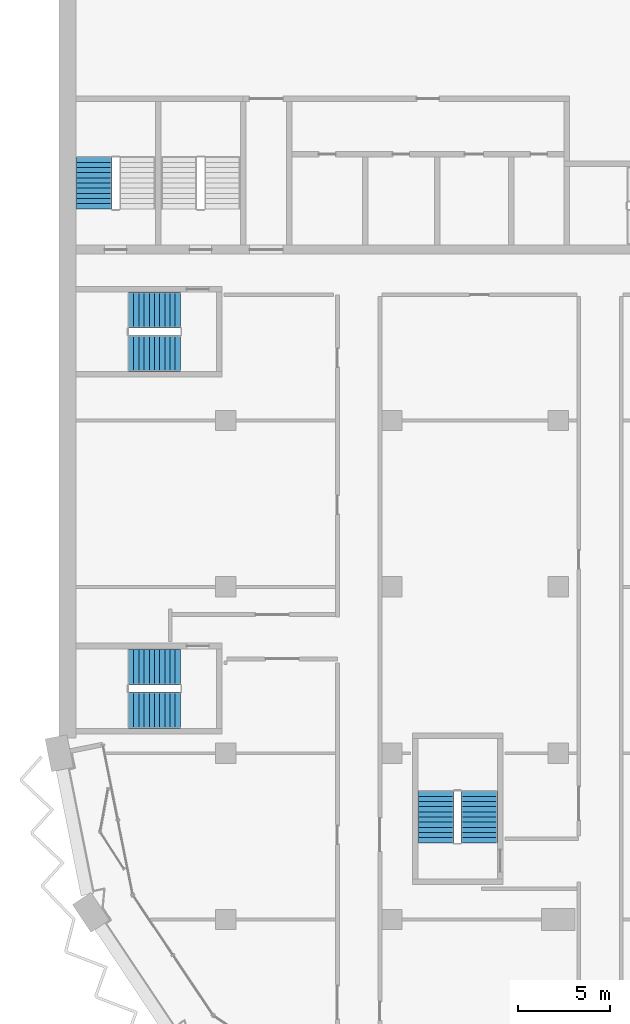
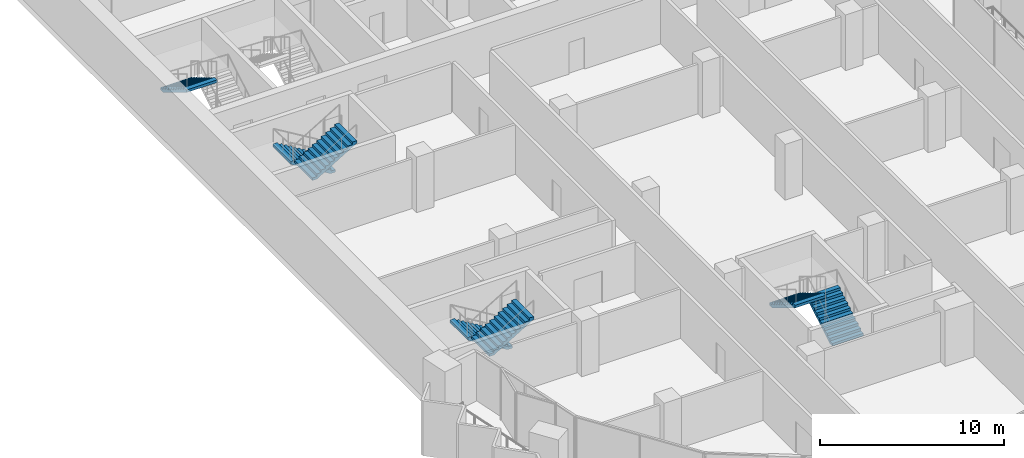
# One storey, part 13 of 19: 7 stair flights, 4 elements without a shape of their own.
"""IFC4 building model written with IfcOpenShell, lengths in metres."""

from ifc_helpers import new_model, si_unit, direction, frame, origin, place, context, subcontext, project, spatial, polyline, outline, extrude, material, type_object, element, aggregate, save


model = new_model("IFC4")

# Units and contexts
model_context = context("Model", 3, precision=1e-05, world=origin(), true_north=direction((0.0, 1.0)))
body_context = subcontext(model_context, "Body", "Model", "MODEL_VIEW")
ifc_project = project(units=[si_unit("LENGTHUNIT", "METRE"), si_unit("AREAUNIT", "SQUARE_METRE"), si_unit("VOLUMEUNIT", "CUBIC_METRE"), si_unit("PLANEANGLEUNIT", "RADIAN"), si_unit("MASSUNIT", "GRAM", prefix="KILO")], contexts=[model_context])

# Site, building, storey
site_placement = place(None, origin())
site = spatial("IfcSite", under=ifc_project, at=site_placement, CompositionType="ELEMENT")
building_placement = place(site_placement, origin())
building = spatial("IfcBuilding", under=site, at=building_placement, Name="Hunhe Ridgeline Campus", CompositionType="ELEMENT")
storey_placement = place(building_placement, frame((0.0, 0.0, 216.10009765625)))
storey = spatial("IfcBuildingStorey", under=building, at=storey_placement, Name="L55", CompositionType="ELEMENT", Elevation=216.10009765625)

# Stair, stair flight
ifc_material = material(Name="Concrete C40", Category="concrete")
stair_type = type_object("IfcStairType", Name="Reinforced concrete dog-leg stair 1950 Concrete C40", PredefinedType="HALF_TURN_STAIR", material=ifc_material)
stair_1_placement = place(storey_placement, origin())
stair_1 = element("IfcStair", 1, at=stair_1_placement, inside=storey, type_object=stair_type, Name="L55 S3", PredefinedType="HALF_TURN_STAIR")
stair_flight_type = type_object("IfcStairFlightType", Name="Reinforced concrete stair flight 1950 Concrete C40", PredefinedType="STRAIGHT", material=ifc_material)
stair_flight_1_placement = place(storey_placement, frame((1.875, 68.25, 1.849853515625), z_axis=(0.0, 0.0, 1.0), x_axis=(0.0, -1.0, 0.0)))
stair_flight_1 = element("IfcStairFlight", 2, at=stair_flight_1_placement, type_object=stair_flight_type, Name="ST3 flight 2", NumberOfRisers=11, NumberOfTreads=10, PredefinedType="STRAIGHT", RiserHeight=0.168181818, TreadLength=0.28, context=body_context, shape_type="SweptSolid", body=[
    extrude(outline(polyline([(0.0, 0.0), (0.0, 0.168212890625), (0.280029296875, 0.168212890625), (0.280029296875, 0.33642578125), (0.56005859375, 0.33642578125), (0.56005859375, 0.504638671875), (0.840087890625, 0.504638671875), (0.840087890625, 0.672607421875), (1.1201171875, 0.672607421875), (1.1201171875, 0.8408203125), (1.39990234375, 0.8408203125), (1.39990234375, 1.009033203125), (1.679931640625, 1.009033203125), (1.679931640625, 1.17724609375), (1.9599609375, 1.17724609375), (1.9599609375, 1.345458984375), (2.239990234375, 1.345458984375), (2.239990234375, 1.513671875), (2.52001953125, 1.513671875), (2.52001953125, 1.681884765625), (2.800048828125, 1.681884765625), (2.800048828125, 1.85009765625), (2.800048828125, 1.5068359375), (0.291015625, 0.0), (0.0, 0.0)])), frame((0.0, 0.97509765625, 0.0), z_axis=(0.0, -1.0, 0.0), x_axis=(1.0, 0.0, 0.0)), (0.0, 0.0, 1.0), 1.949951171875),
    extrude(outline(polyline([(0.030029296875, 0.030029296875), (0.030029296875, 0.13818359375), (0.31005859375, 0.13818359375), (0.31005859375, 0.306396484375), (0.590087890625, 0.306396484375), (0.590087890625, 0.474609375), (0.8701171875, 0.474609375), (0.8701171875, 0.642578125), (1.14990234375, 0.642578125), (1.14990234375, 0.810791015625), (1.429931640625, 0.810791015625), (1.429931640625, 0.97900390625), (1.7099609375, 0.97900390625), (1.7099609375, 1.147216796875), (1.989990234375, 1.147216796875), (1.989990234375, 1.3154296875), (2.27001953125, 1.3154296875), (2.27001953125, 1.483642578125), (2.550048828125, 1.483642578125), (2.550048828125, 1.65185546875), (2.77001953125, 1.65185546875), (2.77001953125, 1.52392578125), (0.28271484375, 0.030029296875), (0.030029296875, 0.030029296875)])), frame((0.0, -0.070068359375, 0.0), z_axis=(0.0, -1.0, 0.0), x_axis=(1.0, 0.0, 0.0)), (0.0, 0.0, 1.0), 0.019775390625),
    extrude(outline(polyline([(0.030029296875, 0.030029296875), (0.030029296875, 0.13818359375), (0.31005859375, 0.13818359375), (0.31005859375, 0.306396484375), (0.590087890625, 0.306396484375), (0.590087890625, 0.474609375), (0.8701171875, 0.474609375), (0.8701171875, 0.642578125), (1.14990234375, 0.642578125), (1.14990234375, 0.810791015625), (1.429931640625, 0.810791015625), (1.429931640625, 0.97900390625), (1.7099609375, 0.97900390625), (1.7099609375, 1.147216796875), (1.989990234375, 1.147216796875), (1.989990234375, 1.3154296875), (2.27001953125, 1.3154296875), (2.27001953125, 1.483642578125), (2.550048828125, 1.483642578125), (2.550048828125, 1.65185546875), (2.77001953125, 1.65185546875), (2.77001953125, 1.52392578125), (0.28271484375, 0.030029296875), (0.030029296875, 0.030029296875)])), frame((0.0, 0.010009765625, 0.0), z_axis=(0.0, -1.0, 0.0), x_axis=(1.0, 0.0, 0.0)), (0.0, 0.0, 1.0), 0.019775390625),
    extrude(outline(polyline([(0.030029296875, 0.030029296875), (0.030029296875, 0.13818359375), (0.31005859375, 0.13818359375), (0.31005859375, 0.306396484375), (0.590087890625, 0.306396484375), (0.590087890625, 0.474609375), (0.8701171875, 0.474609375), (0.8701171875, 0.642578125), (1.14990234375, 0.642578125), (1.14990234375, 0.810791015625), (1.429931640625, 0.810791015625), (1.429931640625, 0.97900390625), (1.7099609375, 0.97900390625), (1.7099609375, 1.147216796875), (1.989990234375, 1.147216796875), (1.989990234375, 1.3154296875), (2.27001953125, 1.3154296875), (2.27001953125, 1.483642578125), (2.550048828125, 1.483642578125), (2.550048828125, 1.65185546875), (2.77001953125, 1.65185546875), (2.77001953125, 1.52392578125), (0.28271484375, 0.030029296875), (0.030029296875, 0.030029296875)])), frame((0.0, 0.090087890625, 0.0), z_axis=(0.0, -1.0, 0.0), x_axis=(1.0, 0.0, 0.0)), (0.0, 0.0, 1.0), 0.019775390625),
])
aggregate(stair_1, [stair_flight_1])

# Stair, stair flights
stair_2_placement = place(storey_placement, origin())
stair_2 = element("IfcStair", 3, at=stair_2_placement, inside=storey, type_object=stair_type, Name="L55 W3", PredefinedType="HALF_TURN_STAIR")
stair_flight_2_placement = place(storey_placement, frame((22.72509765625, 31.14990234375, 0.0), z_axis=(0.0, 0.0, 1.0), x_axis=(0.0, 1.0, 0.0)))
stair_flight_2 = element("IfcStairFlight", 4, at=stair_flight_2_placement, type_object=stair_flight_type, Name="ST9 flight 1", NumberOfRisers=11, NumberOfTreads=10, PredefinedType="STRAIGHT", RiserHeight=0.168181818, TreadLength=0.28, context=body_context, shape_type="SweptSolid", body=[
    extrude(outline(polyline([(0.0, 0.0), (0.0, 0.168212890625), (0.280029296875, 0.168212890625), (0.280029296875, 0.33642578125), (0.56005859375, 0.33642578125), (0.56005859375, 0.504638671875), (0.840087890625, 0.504638671875), (0.840087890625, 0.672607421875), (1.1201171875, 0.672607421875), (1.1201171875, 0.8408203125), (1.39990234375, 0.8408203125), (1.39990234375, 1.009033203125), (1.679931640625, 1.009033203125), (1.679931640625, 1.17724609375), (1.9599609375, 1.17724609375), (1.9599609375, 1.345458984375), (2.239990234375, 1.345458984375), (2.239990234375, 1.513671875), (2.52001953125, 1.513671875), (2.52001953125, 1.681884765625), (2.800048828125, 1.681884765625), (2.800048828125, 1.85009765625), (2.800048828125, 1.5068359375), (0.291015625, 0.0), (0.0, 0.0)])), frame((0.0, 0.97509765625, 0.0), z_axis=(0.0, -1.0, 0.0), x_axis=(1.0, 0.0, 0.0)), (0.0, 0.0, 1.0), 1.949951171875),
    extrude(outline(polyline([(0.030029296875, 0.030029296875), (0.030029296875, 0.13818359375), (0.31005859375, 0.13818359375), (0.31005859375, 0.306396484375), (0.590087890625, 0.306396484375), (0.590087890625, 0.474609375), (0.8701171875, 0.474609375), (0.8701171875, 0.642578125), (1.14990234375, 0.642578125), (1.14990234375, 0.810791015625), (1.429931640625, 0.810791015625), (1.429931640625, 0.97900390625), (1.7099609375, 0.97900390625), (1.7099609375, 1.147216796875), (1.989990234375, 1.147216796875), (1.989990234375, 1.3154296875), (2.27001953125, 1.3154296875), (2.27001953125, 1.483642578125), (2.550048828125, 1.483642578125), (2.550048828125, 1.65185546875), (2.77001953125, 1.65185546875), (2.77001953125, 1.52392578125), (0.28271484375, 0.030029296875), (0.030029296875, 0.030029296875)])), frame((0.0, -0.070068359375, 0.0), z_axis=(0.0, -1.0, 0.0), x_axis=(1.0, 0.0, 0.0)), (0.0, 0.0, 1.0), 0.019775390625),
    extrude(outline(polyline([(0.030029296875, 0.030029296875), (0.030029296875, 0.13818359375), (0.31005859375, 0.13818359375), (0.31005859375, 0.306396484375), (0.590087890625, 0.306396484375), (0.590087890625, 0.474609375), (0.8701171875, 0.474609375), (0.8701171875, 0.642578125), (1.14990234375, 0.642578125), (1.14990234375, 0.810791015625), (1.429931640625, 0.810791015625), (1.429931640625, 0.97900390625), (1.7099609375, 0.97900390625), (1.7099609375, 1.147216796875), (1.989990234375, 1.147216796875), (1.989990234375, 1.3154296875), (2.27001953125, 1.3154296875), (2.27001953125, 1.483642578125), (2.550048828125, 1.483642578125), (2.550048828125, 1.65185546875), (2.77001953125, 1.65185546875), (2.77001953125, 1.52392578125), (0.28271484375, 0.030029296875), (0.030029296875, 0.030029296875)])), frame((0.0, 0.010009765625, 0.0), z_axis=(0.0, -1.0, 0.0), x_axis=(1.0, 0.0, 0.0)), (0.0, 0.0, 1.0), 0.019775390625),
    extrude(outline(polyline([(0.030029296875, 0.030029296875), (0.030029296875, 0.13818359375), (0.31005859375, 0.13818359375), (0.31005859375, 0.306396484375), (0.590087890625, 0.306396484375), (0.590087890625, 0.474609375), (0.8701171875, 0.474609375), (0.8701171875, 0.642578125), (1.14990234375, 0.642578125), (1.14990234375, 0.810791015625), (1.429931640625, 0.810791015625), (1.429931640625, 0.97900390625), (1.7099609375, 0.97900390625), (1.7099609375, 1.147216796875), (1.989990234375, 1.147216796875), (1.989990234375, 1.3154296875), (2.27001953125, 1.3154296875), (2.27001953125, 1.483642578125), (2.550048828125, 1.483642578125), (2.550048828125, 1.65185546875), (2.77001953125, 1.65185546875), (2.77001953125, 1.52392578125), (0.28271484375, 0.030029296875), (0.030029296875, 0.030029296875)])), frame((0.0, 0.090087890625, 0.0), z_axis=(0.0, -1.0, 0.0), x_axis=(1.0, 0.0, 0.0)), (0.0, 0.0, 1.0), 0.019775390625),
])
stair_flight_3_placement = place(storey_placement, frame((20.375, 33.949951171875, 1.849853515625), z_axis=(0.0, 0.0, 1.0), x_axis=(0.0, -1.0, 0.0)))
stair_flight_3 = element("IfcStairFlight", 5, at=stair_flight_3_placement, type_object=stair_flight_type, Name="ST9 flight 2", NumberOfRisers=11, NumberOfTreads=10, PredefinedType="STRAIGHT", RiserHeight=0.168181818, TreadLength=0.28, context=body_context, shape_type="SweptSolid", body=[
    extrude(outline(polyline([(0.0, 0.0), (0.0, 0.168212890625), (0.280029296875, 0.168212890625), (0.280029296875, 0.33642578125), (0.56005859375, 0.33642578125), (0.56005859375, 0.504638671875), (0.840087890625, 0.504638671875), (0.840087890625, 0.672607421875), (1.1201171875, 0.672607421875), (1.1201171875, 0.8408203125), (1.39990234375, 0.8408203125), (1.39990234375, 1.009033203125), (1.679931640625, 1.009033203125), (1.679931640625, 1.17724609375), (1.9599609375, 1.17724609375), (1.9599609375, 1.345458984375), (2.239990234375, 1.345458984375), (2.239990234375, 1.513671875), (2.52001953125, 1.513671875), (2.52001953125, 1.681884765625), (2.800048828125, 1.681884765625), (2.800048828125, 1.85009765625), (2.800048828125, 1.5068359375), (0.291015625, 0.0), (0.0, 0.0)])), frame((0.0, 0.97509765625, 0.0), z_axis=(0.0, -1.0, 0.0), x_axis=(1.0, 0.0, 0.0)), (0.0, 0.0, 1.0), 1.949951171875),
    extrude(outline(polyline([(0.030029296875, 0.030029296875), (0.030029296875, 0.13818359375), (0.31005859375, 0.13818359375), (0.31005859375, 0.306396484375), (0.590087890625, 0.306396484375), (0.590087890625, 0.474609375), (0.8701171875, 0.474609375), (0.8701171875, 0.642578125), (1.14990234375, 0.642578125), (1.14990234375, 0.810791015625), (1.429931640625, 0.810791015625), (1.429931640625, 0.97900390625), (1.7099609375, 0.97900390625), (1.7099609375, 1.147216796875), (1.989990234375, 1.147216796875), (1.989990234375, 1.3154296875), (2.27001953125, 1.3154296875), (2.27001953125, 1.483642578125), (2.550048828125, 1.483642578125), (2.550048828125, 1.65185546875), (2.77001953125, 1.65185546875), (2.77001953125, 1.52392578125), (0.28271484375, 0.030029296875), (0.030029296875, 0.030029296875)])), frame((0.0, -0.070068359375, 0.0), z_axis=(0.0, -1.0, 0.0), x_axis=(1.0, 0.0, 0.0)), (0.0, 0.0, 1.0), 0.019775390625),
    extrude(outline(polyline([(0.030029296875, 0.030029296875), (0.030029296875, 0.13818359375), (0.31005859375, 0.13818359375), (0.31005859375, 0.306396484375), (0.590087890625, 0.306396484375), (0.590087890625, 0.474609375), (0.8701171875, 0.474609375), (0.8701171875, 0.642578125), (1.14990234375, 0.642578125), (1.14990234375, 0.810791015625), (1.429931640625, 0.810791015625), (1.429931640625, 0.97900390625), (1.7099609375, 0.97900390625), (1.7099609375, 1.147216796875), (1.989990234375, 1.147216796875), (1.989990234375, 1.3154296875), (2.27001953125, 1.3154296875), (2.27001953125, 1.483642578125), (2.550048828125, 1.483642578125), (2.550048828125, 1.65185546875), (2.77001953125, 1.65185546875), (2.77001953125, 1.52392578125), (0.28271484375, 0.030029296875), (0.030029296875, 0.030029296875)])), frame((0.0, 0.010009765625, 0.0), z_axis=(0.0, -1.0, 0.0), x_axis=(1.0, 0.0, 0.0)), (0.0, 0.0, 1.0), 0.019775390625),
    extrude(outline(polyline([(0.030029296875, 0.030029296875), (0.030029296875, 0.13818359375), (0.31005859375, 0.13818359375), (0.31005859375, 0.306396484375), (0.590087890625, 0.306396484375), (0.590087890625, 0.474609375), (0.8701171875, 0.474609375), (0.8701171875, 0.642578125), (1.14990234375, 0.642578125), (1.14990234375, 0.810791015625), (1.429931640625, 0.810791015625), (1.429931640625, 0.97900390625), (1.7099609375, 0.97900390625), (1.7099609375, 1.147216796875), (1.989990234375, 1.147216796875), (1.989990234375, 1.3154296875), (2.27001953125, 1.3154296875), (2.27001953125, 1.483642578125), (2.550048828125, 1.483642578125), (2.550048828125, 1.65185546875), (2.77001953125, 1.65185546875), (2.77001953125, 1.52392578125), (0.28271484375, 0.030029296875), (0.030029296875, 0.030029296875)])), frame((0.0, 0.090087890625, 0.0), z_axis=(0.0, -1.0, 0.0), x_axis=(1.0, 0.0, 0.0)), (0.0, 0.0, 1.0), 0.019775390625),
])
aggregate(stair_2, [stair_flight_2, stair_flight_3])

stair_3_placement = place(storey_placement, origin())
stair_3 = element("IfcStair", 6, at=stair_3_placement, inside=storey, type_object=stair_type, Name="L55 W1", PredefinedType="HALF_TURN_STAIR")
stair_flight_4_placement = place(storey_placement, frame((6.550048828125, 40.675048828125, 0.0), z_axis=(0.0, 0.0, 1.0), x_axis=(-1.0, 0.0, 0.0)))
stair_flight_4 = element("IfcStairFlight", 7, at=stair_flight_4_placement, type_object=stair_flight_type, Name="ST11 flight 1", NumberOfRisers=11, NumberOfTreads=10, PredefinedType="STRAIGHT", RiserHeight=0.168181818, TreadLength=0.28, context=body_context, shape_type="SweptSolid", body=[
    extrude(outline(polyline([(0.0, 0.0), (0.0, 0.168212890625), (0.280029296875, 0.168212890625), (0.280029296875, 0.33642578125), (0.56005859375, 0.33642578125), (0.56005859375, 0.504638671875), (0.840087890625, 0.504638671875), (0.840087890625, 0.672607421875), (1.1201171875, 0.672607421875), (1.1201171875, 0.8408203125), (1.39990234375, 0.8408203125), (1.39990234375, 1.009033203125), (1.679931640625, 1.009033203125), (1.679931640625, 1.17724609375), (1.9599609375, 1.17724609375), (1.9599609375, 1.345458984375), (2.239990234375, 1.345458984375), (2.239990234375, 1.513671875), (2.52001953125, 1.513671875), (2.52001953125, 1.681884765625), (2.800048828125, 1.681884765625), (2.800048828125, 1.85009765625), (2.800048828125, 1.5068359375), (0.291015625, 0.0), (0.0, 0.0)])), frame((0.0, 0.97509765625, 0.0), z_axis=(0.0, -1.0, 0.0), x_axis=(1.0, 0.0, 0.0)), (0.0, 0.0, 1.0), 1.949951171875),
    extrude(outline(polyline([(0.030029296875, 0.030029296875), (0.030029296875, 0.13818359375), (0.31005859375, 0.13818359375), (0.31005859375, 0.306396484375), (0.590087890625, 0.306396484375), (0.590087890625, 0.474609375), (0.8701171875, 0.474609375), (0.8701171875, 0.642578125), (1.14990234375, 0.642578125), (1.14990234375, 0.810791015625), (1.429931640625, 0.810791015625), (1.429931640625, 0.97900390625), (1.7099609375, 0.97900390625), (1.7099609375, 1.147216796875), (1.989990234375, 1.147216796875), (1.989990234375, 1.3154296875), (2.27001953125, 1.3154296875), (2.27001953125, 1.483642578125), (2.550048828125, 1.483642578125), (2.550048828125, 1.65185546875), (2.77001953125, 1.65185546875), (2.77001953125, 1.52392578125), (0.28271484375, 0.030029296875), (0.030029296875, 0.030029296875)])), frame((0.0, -0.070068359375, 0.0), z_axis=(0.0, -1.0, 0.0), x_axis=(1.0, 0.0, 0.0)), (0.0, 0.0, 1.0), 0.019775390625),
    extrude(outline(polyline([(0.030029296875, 0.030029296875), (0.030029296875, 0.13818359375), (0.31005859375, 0.13818359375), (0.31005859375, 0.306396484375), (0.590087890625, 0.306396484375), (0.590087890625, 0.474609375), (0.8701171875, 0.474609375), (0.8701171875, 0.642578125), (1.14990234375, 0.642578125), (1.14990234375, 0.810791015625), (1.429931640625, 0.810791015625), (1.429931640625, 0.97900390625), (1.7099609375, 0.97900390625), (1.7099609375, 1.147216796875), (1.989990234375, 1.147216796875), (1.989990234375, 1.3154296875), (2.27001953125, 1.3154296875), (2.27001953125, 1.483642578125), (2.550048828125, 1.483642578125), (2.550048828125, 1.65185546875), (2.77001953125, 1.65185546875), (2.77001953125, 1.52392578125), (0.28271484375, 0.030029296875), (0.030029296875, 0.030029296875)])), frame((0.0, 0.010009765625, 0.0), z_axis=(0.0, -1.0, 0.0), x_axis=(1.0, 0.0, 0.0)), (0.0, 0.0, 1.0), 0.019775390625),
    extrude(outline(polyline([(0.030029296875, 0.030029296875), (0.030029296875, 0.13818359375), (0.31005859375, 0.13818359375), (0.31005859375, 0.306396484375), (0.590087890625, 0.306396484375), (0.590087890625, 0.474609375), (0.8701171875, 0.474609375), (0.8701171875, 0.642578125), (1.14990234375, 0.642578125), (1.14990234375, 0.810791015625), (1.429931640625, 0.810791015625), (1.429931640625, 0.97900390625), (1.7099609375, 0.97900390625), (1.7099609375, 1.147216796875), (1.989990234375, 1.147216796875), (1.989990234375, 1.3154296875), (2.27001953125, 1.3154296875), (2.27001953125, 1.483642578125), (2.550048828125, 1.483642578125), (2.550048828125, 1.65185546875), (2.77001953125, 1.65185546875), (2.77001953125, 1.52392578125), (0.28271484375, 0.030029296875), (0.030029296875, 0.030029296875)])), frame((0.0, 0.090087890625, 0.0), z_axis=(0.0, -1.0, 0.0), x_axis=(1.0, 0.0, 0.0)), (0.0, 0.0, 1.0), 0.019775390625),
])
stair_flight_5_placement = place(storey_placement, frame((3.75, 38.324951171875, 1.849853515625), z_axis=(0.0, 0.0, 1.0), x_axis=(1.0, 0.0, 0.0)))
stair_flight_5 = element("IfcStairFlight", 8, at=stair_flight_5_placement, type_object=stair_flight_type, Name="ST11 flight 2", NumberOfRisers=11, NumberOfTreads=10, PredefinedType="STRAIGHT", RiserHeight=0.168181818, TreadLength=0.28, context=body_context, shape_type="SweptSolid", body=[
    extrude(outline(polyline([(0.0, 0.0), (0.0, 0.168212890625), (0.280029296875, 0.168212890625), (0.280029296875, 0.33642578125), (0.56005859375, 0.33642578125), (0.56005859375, 0.504638671875), (0.840087890625, 0.504638671875), (0.840087890625, 0.672607421875), (1.1201171875, 0.672607421875), (1.1201171875, 0.8408203125), (1.39990234375, 0.8408203125), (1.39990234375, 1.009033203125), (1.679931640625, 1.009033203125), (1.679931640625, 1.17724609375), (1.9599609375, 1.17724609375), (1.9599609375, 1.345458984375), (2.239990234375, 1.345458984375), (2.239990234375, 1.513671875), (2.52001953125, 1.513671875), (2.52001953125, 1.681884765625), (2.800048828125, 1.681884765625), (2.800048828125, 1.85009765625), (2.800048828125, 1.5068359375), (0.291015625, 0.0), (0.0, 0.0)])), frame((0.0, 0.97509765625, 0.0), z_axis=(0.0, -1.0, 0.0), x_axis=(1.0, 0.0, 0.0)), (0.0, 0.0, 1.0), 1.949951171875),
    extrude(outline(polyline([(0.030029296875, 0.030029296875), (0.030029296875, 0.13818359375), (0.31005859375, 0.13818359375), (0.31005859375, 0.306396484375), (0.590087890625, 0.306396484375), (0.590087890625, 0.474609375), (0.8701171875, 0.474609375), (0.8701171875, 0.642578125), (1.14990234375, 0.642578125), (1.14990234375, 0.810791015625), (1.429931640625, 0.810791015625), (1.429931640625, 0.97900390625), (1.7099609375, 0.97900390625), (1.7099609375, 1.147216796875), (1.989990234375, 1.147216796875), (1.989990234375, 1.3154296875), (2.27001953125, 1.3154296875), (2.27001953125, 1.483642578125), (2.550048828125, 1.483642578125), (2.550048828125, 1.65185546875), (2.77001953125, 1.65185546875), (2.77001953125, 1.52392578125), (0.28271484375, 0.030029296875), (0.030029296875, 0.030029296875)])), frame((0.0, -0.070068359375, 0.0), z_axis=(0.0, -1.0, 0.0), x_axis=(1.0, 0.0, 0.0)), (0.0, 0.0, 1.0), 0.019775390625),
    extrude(outline(polyline([(0.030029296875, 0.030029296875), (0.030029296875, 0.13818359375), (0.31005859375, 0.13818359375), (0.31005859375, 0.306396484375), (0.590087890625, 0.306396484375), (0.590087890625, 0.474609375), (0.8701171875, 0.474609375), (0.8701171875, 0.642578125), (1.14990234375, 0.642578125), (1.14990234375, 0.810791015625), (1.429931640625, 0.810791015625), (1.429931640625, 0.97900390625), (1.7099609375, 0.97900390625), (1.7099609375, 1.147216796875), (1.989990234375, 1.147216796875), (1.989990234375, 1.3154296875), (2.27001953125, 1.3154296875), (2.27001953125, 1.483642578125), (2.550048828125, 1.483642578125), (2.550048828125, 1.65185546875), (2.77001953125, 1.65185546875), (2.77001953125, 1.52392578125), (0.28271484375, 0.030029296875), (0.030029296875, 0.030029296875)])), frame((0.0, 0.010009765625, 0.0), z_axis=(0.0, -1.0, 0.0), x_axis=(1.0, 0.0, 0.0)), (0.0, 0.0, 1.0), 0.019775390625),
    extrude(outline(polyline([(0.030029296875, 0.030029296875), (0.030029296875, 0.13818359375), (0.31005859375, 0.13818359375), (0.31005859375, 0.306396484375), (0.590087890625, 0.306396484375), (0.590087890625, 0.474609375), (0.8701171875, 0.474609375), (0.8701171875, 0.642578125), (1.14990234375, 0.642578125), (1.14990234375, 0.810791015625), (1.429931640625, 0.810791015625), (1.429931640625, 0.97900390625), (1.7099609375, 0.97900390625), (1.7099609375, 1.147216796875), (1.989990234375, 1.147216796875), (1.989990234375, 1.3154296875), (2.27001953125, 1.3154296875), (2.27001953125, 1.483642578125), (2.550048828125, 1.483642578125), (2.550048828125, 1.65185546875), (2.77001953125, 1.65185546875), (2.77001953125, 1.52392578125), (0.28271484375, 0.030029296875), (0.030029296875, 0.030029296875)])), frame((0.0, 0.090087890625, 0.0), z_axis=(0.0, -1.0, 0.0), x_axis=(1.0, 0.0, 0.0)), (0.0, 0.0, 1.0), 0.019775390625),
])
aggregate(stair_3, [stair_flight_4, stair_flight_5])

stair_4_placement = place(storey_placement, origin())
stair_4 = element("IfcStair", 9, at=stair_4_placement, inside=storey, type_object=stair_type, Name="L55 W2", PredefinedType="HALF_TURN_STAIR")
stair_flight_6_placement = place(storey_placement, frame((6.550048828125, 59.97509765625, 0.0), z_axis=(0.0, 0.0, 1.0), x_axis=(-1.0, 0.0, 0.0)))
stair_flight_6 = element("IfcStairFlight", 10, at=stair_flight_6_placement, type_object=stair_flight_type, Name="ST12 flight 1", NumberOfRisers=11, NumberOfTreads=10, PredefinedType="STRAIGHT", RiserHeight=0.168181818, TreadLength=0.28, context=body_context, shape_type="SweptSolid", body=[
    extrude(outline(polyline([(0.0, 0.0), (0.0, 0.168212890625), (0.280029296875, 0.168212890625), (0.280029296875, 0.33642578125), (0.56005859375, 0.33642578125), (0.56005859375, 0.504638671875), (0.840087890625, 0.504638671875), (0.840087890625, 0.672607421875), (1.1201171875, 0.672607421875), (1.1201171875, 0.8408203125), (1.39990234375, 0.8408203125), (1.39990234375, 1.009033203125), (1.679931640625, 1.009033203125), (1.679931640625, 1.17724609375), (1.9599609375, 1.17724609375), (1.9599609375, 1.345458984375), (2.239990234375, 1.345458984375), (2.239990234375, 1.513671875), (2.52001953125, 1.513671875), (2.52001953125, 1.681884765625), (2.800048828125, 1.681884765625), (2.800048828125, 1.85009765625), (2.800048828125, 1.5068359375), (0.291015625, 0.0), (0.0, 0.0)])), frame((0.0, 0.97509765625, 0.0), z_axis=(0.0, -1.0, 0.0), x_axis=(1.0, 0.0, 0.0)), (0.0, 0.0, 1.0), 1.949951171875),
    extrude(outline(polyline([(0.030029296875, 0.030029296875), (0.030029296875, 0.13818359375), (0.31005859375, 0.13818359375), (0.31005859375, 0.306396484375), (0.590087890625, 0.306396484375), (0.590087890625, 0.474609375), (0.8701171875, 0.474609375), (0.8701171875, 0.642578125), (1.14990234375, 0.642578125), (1.14990234375, 0.810791015625), (1.429931640625, 0.810791015625), (1.429931640625, 0.97900390625), (1.7099609375, 0.97900390625), (1.7099609375, 1.147216796875), (1.989990234375, 1.147216796875), (1.989990234375, 1.3154296875), (2.27001953125, 1.3154296875), (2.27001953125, 1.483642578125), (2.550048828125, 1.483642578125), (2.550048828125, 1.65185546875), (2.77001953125, 1.65185546875), (2.77001953125, 1.52392578125), (0.28271484375, 0.030029296875), (0.030029296875, 0.030029296875)])), frame((0.0, -0.070068359375, 0.0), z_axis=(0.0, -1.0, 0.0), x_axis=(1.0, 0.0, 0.0)), (0.0, 0.0, 1.0), 0.019775390625),
    extrude(outline(polyline([(0.030029296875, 0.030029296875), (0.030029296875, 0.13818359375), (0.31005859375, 0.13818359375), (0.31005859375, 0.306396484375), (0.590087890625, 0.306396484375), (0.590087890625, 0.474609375), (0.8701171875, 0.474609375), (0.8701171875, 0.642578125), (1.14990234375, 0.642578125), (1.14990234375, 0.810791015625), (1.429931640625, 0.810791015625), (1.429931640625, 0.97900390625), (1.7099609375, 0.97900390625), (1.7099609375, 1.147216796875), (1.989990234375, 1.147216796875), (1.989990234375, 1.3154296875), (2.27001953125, 1.3154296875), (2.27001953125, 1.483642578125), (2.550048828125, 1.483642578125), (2.550048828125, 1.65185546875), (2.77001953125, 1.65185546875), (2.77001953125, 1.52392578125), (0.28271484375, 0.030029296875), (0.030029296875, 0.030029296875)])), frame((0.0, 0.010009765625, 0.0), z_axis=(0.0, -1.0, 0.0), x_axis=(1.0, 0.0, 0.0)), (0.0, 0.0, 1.0), 0.019775390625),
    extrude(outline(polyline([(0.030029296875, 0.030029296875), (0.030029296875, 0.13818359375), (0.31005859375, 0.13818359375), (0.31005859375, 0.306396484375), (0.590087890625, 0.306396484375), (0.590087890625, 0.474609375), (0.8701171875, 0.474609375), (0.8701171875, 0.642578125), (1.14990234375, 0.642578125), (1.14990234375, 0.810791015625), (1.429931640625, 0.810791015625), (1.429931640625, 0.97900390625), (1.7099609375, 0.97900390625), (1.7099609375, 1.147216796875), (1.989990234375, 1.147216796875), (1.989990234375, 1.3154296875), (2.27001953125, 1.3154296875), (2.27001953125, 1.483642578125), (2.550048828125, 1.483642578125), (2.550048828125, 1.65185546875), (2.77001953125, 1.65185546875), (2.77001953125, 1.52392578125), (0.28271484375, 0.030029296875), (0.030029296875, 0.030029296875)])), frame((0.0, 0.090087890625, 0.0), z_axis=(0.0, -1.0, 0.0), x_axis=(1.0, 0.0, 0.0)), (0.0, 0.0, 1.0), 0.019775390625),
])
stair_flight_7_placement = place(storey_placement, frame((3.75, 57.625, 1.849853515625), z_axis=(0.0, 0.0, 1.0), x_axis=(1.0, 0.0, 0.0)))
stair_flight_7 = element("IfcStairFlight", 11, at=stair_flight_7_placement, type_object=stair_flight_type, Name="ST12 flight 2", NumberOfRisers=11, NumberOfTreads=10, PredefinedType="STRAIGHT", RiserHeight=0.168181818, TreadLength=0.28, context=body_context, shape_type="SweptSolid", body=[
    extrude(outline(polyline([(0.0, 0.0), (0.0, 0.168212890625), (0.280029296875, 0.168212890625), (0.280029296875, 0.33642578125), (0.56005859375, 0.33642578125), (0.56005859375, 0.504638671875), (0.840087890625, 0.504638671875), (0.840087890625, 0.672607421875), (1.1201171875, 0.672607421875), (1.1201171875, 0.8408203125), (1.39990234375, 0.8408203125), (1.39990234375, 1.009033203125), (1.679931640625, 1.009033203125), (1.679931640625, 1.17724609375), (1.9599609375, 1.17724609375), (1.9599609375, 1.345458984375), (2.239990234375, 1.345458984375), (2.239990234375, 1.513671875), (2.52001953125, 1.513671875), (2.52001953125, 1.681884765625), (2.800048828125, 1.681884765625), (2.800048828125, 1.85009765625), (2.800048828125, 1.5068359375), (0.291015625, 0.0), (0.0, 0.0)])), frame((0.0, 0.97509765625, 0.0), z_axis=(0.0, -1.0, 0.0), x_axis=(1.0, 0.0, 0.0)), (0.0, 0.0, 1.0), 1.949951171875),
    extrude(outline(polyline([(0.030029296875, 0.030029296875), (0.030029296875, 0.13818359375), (0.31005859375, 0.13818359375), (0.31005859375, 0.306396484375), (0.590087890625, 0.306396484375), (0.590087890625, 0.474609375), (0.8701171875, 0.474609375), (0.8701171875, 0.642578125), (1.14990234375, 0.642578125), (1.14990234375, 0.810791015625), (1.429931640625, 0.810791015625), (1.429931640625, 0.97900390625), (1.7099609375, 0.97900390625), (1.7099609375, 1.147216796875), (1.989990234375, 1.147216796875), (1.989990234375, 1.3154296875), (2.27001953125, 1.3154296875), (2.27001953125, 1.483642578125), (2.550048828125, 1.483642578125), (2.550048828125, 1.65185546875), (2.77001953125, 1.65185546875), (2.77001953125, 1.52392578125), (0.28271484375, 0.030029296875), (0.030029296875, 0.030029296875)])), frame((0.0, -0.070068359375, 0.0), z_axis=(0.0, -1.0, 0.0), x_axis=(1.0, 0.0, 0.0)), (0.0, 0.0, 1.0), 0.019775390625),
    extrude(outline(polyline([(0.030029296875, 0.030029296875), (0.030029296875, 0.13818359375), (0.31005859375, 0.13818359375), (0.31005859375, 0.306396484375), (0.590087890625, 0.306396484375), (0.590087890625, 0.474609375), (0.8701171875, 0.474609375), (0.8701171875, 0.642578125), (1.14990234375, 0.642578125), (1.14990234375, 0.810791015625), (1.429931640625, 0.810791015625), (1.429931640625, 0.97900390625), (1.7099609375, 0.97900390625), (1.7099609375, 1.147216796875), (1.989990234375, 1.147216796875), (1.989990234375, 1.3154296875), (2.27001953125, 1.3154296875), (2.27001953125, 1.483642578125), (2.550048828125, 1.483642578125), (2.550048828125, 1.65185546875), (2.77001953125, 1.65185546875), (2.77001953125, 1.52392578125), (0.28271484375, 0.030029296875), (0.030029296875, 0.030029296875)])), frame((0.0, 0.010009765625, 0.0), z_axis=(0.0, -1.0, 0.0), x_axis=(1.0, 0.0, 0.0)), (0.0, 0.0, 1.0), 0.019775390625),
    extrude(outline(polyline([(0.030029296875, 0.030029296875), (0.030029296875, 0.13818359375), (0.31005859375, 0.13818359375), (0.31005859375, 0.306396484375), (0.590087890625, 0.306396484375), (0.590087890625, 0.474609375), (0.8701171875, 0.474609375), (0.8701171875, 0.642578125), (1.14990234375, 0.642578125), (1.14990234375, 0.810791015625), (1.429931640625, 0.810791015625), (1.429931640625, 0.97900390625), (1.7099609375, 0.97900390625), (1.7099609375, 1.147216796875), (1.989990234375, 1.147216796875), (1.989990234375, 1.3154296875), (2.27001953125, 1.3154296875), (2.27001953125, 1.483642578125), (2.550048828125, 1.483642578125), (2.550048828125, 1.65185546875), (2.77001953125, 1.65185546875), (2.77001953125, 1.52392578125), (0.28271484375, 0.030029296875), (0.030029296875, 0.030029296875)])), frame((0.0, 0.090087890625, 0.0), z_axis=(0.0, -1.0, 0.0), x_axis=(1.0, 0.0, 0.0)), (0.0, 0.0, 1.0), 0.019775390625),
])
aggregate(stair_4, [stair_flight_6, stair_flight_7])

save(model, "model.ifc")
